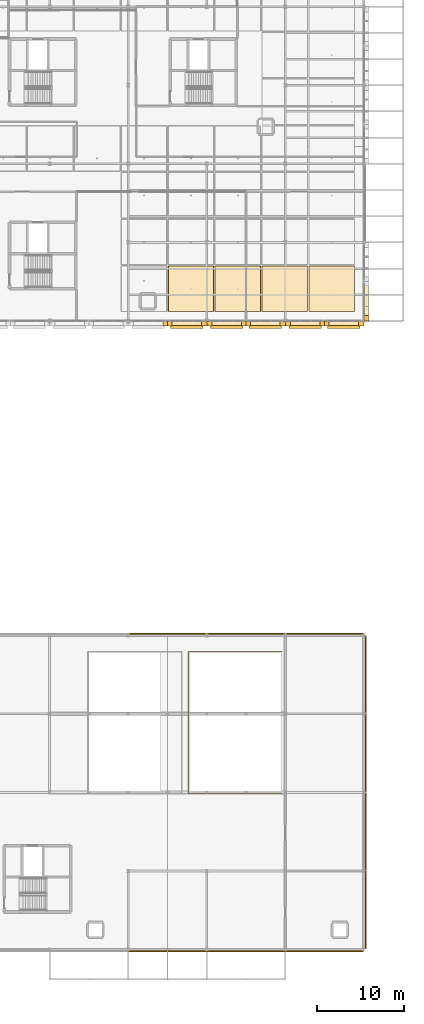
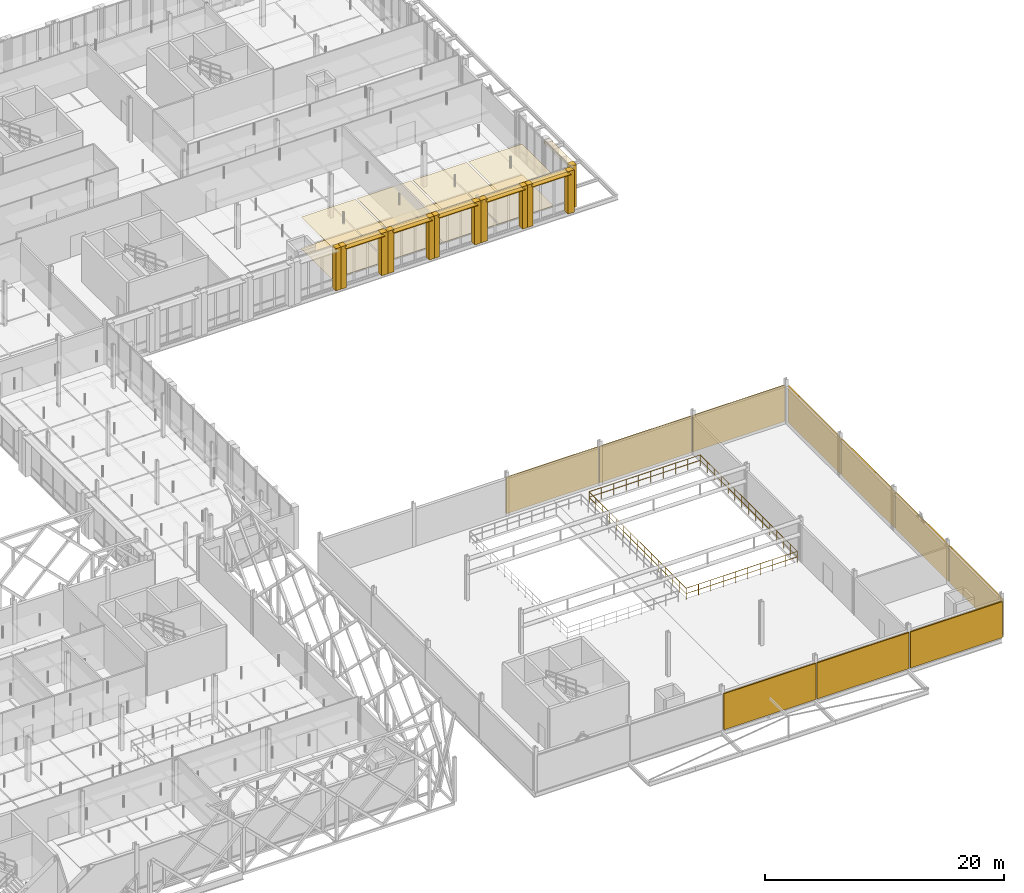
# One storey, part 139 of 140: 36 coverings, 5 shading devices, 1 railing.
"""IFC4 building model written with IfcOpenShell, lengths in metres."""

from ifc_helpers import new_model, si_unit, direction, frame, origin, origin_2d, place, context, subcontext, project, spatial, rectangle, circle, extrude, material, layer, layer_set, type_object, element, save


model = new_model("IFC4")

# Units and contexts
model_context = context("Model", 3, precision=1e-05, world=origin(), true_north=direction((0.0, 1.0)))
body_context = subcontext(model_context, "Body", "Model", "MODEL_VIEW")
ifc_project = project(units=[si_unit("LENGTHUNIT", "METRE"), si_unit("AREAUNIT", "SQUARE_METRE"), si_unit("VOLUMEUNIT", "CUBIC_METRE"), si_unit("PLANEANGLEUNIT", "RADIAN"), si_unit("MASSUNIT", "GRAM", prefix="KILO"), si_unit("THERMODYNAMICTEMPERATUREUNIT", "KELVIN"), si_unit("POWERUNIT", "WATT")], contexts=[model_context])

# Site, building, storey
site_placement = place(None, origin())
site = spatial("IfcSite", under=ifc_project, at=site_placement, CompositionType="ELEMENT")
building_placement = place(site_placement, origin())
building = spatial("IfcBuilding", under=site, at=building_placement, Name="Tallowbark Science Centre", CompositionType="ELEMENT")
storey_placement = place(building_placement, frame((0.0, 0.0, 9.89990234375)))
storey = spatial("IfcBuildingStorey", under=building, at=storey_placement, Name="L02", CompositionType="ELEMENT", Elevation=9.89990234375)

# Coverings
ifc_material_1 = material(Name="Mineral-Fibre Acoustic Ceiling Tile Grid")
ifc_layer_1 = layer(ifc_material_1, 0.01806640625)
ifc_layer_set_1 = layer_set([ifc_layer_1], Name="Mineral-Fibre Acoustic Ceiling Tile Grid")
covering_type_1 = type_object("IfcCoveringType", Name="CLG-ACT-18", PredefinedType="CEILING", material=ifc_layer_set_1)
for number, where, z_axis, x_axis, name in (
    (1, (137.6875, 75.6787109375, 3.191162109375), (0.0, 0.0, 1.0), (1.0, 0.0, 0.0), "Suspended Ceiling L02-922"),
    (2, (143.0625, 75.6787109375, 3.191162109375), (0.0, 0.0, 1.0), (1.0, 0.0, 0.0), "Suspended Ceiling L02-927"),
    (3, (148.4375, 75.6787109375, 3.191162109375), (0.0, 0.0, 1.0), (1.0, 0.0, 0.0), "Suspended Ceiling L02-932"),
    (4, (153.8125, 75.6787109375, 3.191162109375), (0.0, 0.0, 1.0), (1.0, 0.0, 0.0), "Suspended Ceiling L02-939"),
):
    element("IfcCovering", number, at=place(storey_placement, frame(where, z_axis=z_axis, x_axis=x_axis)), inside=storey, type_object=covering_type_1, Name=name, PredefinedType="CEILING", context=body_context, shape_type="SweptSolid", body=[
        extrude(rectangle(XDim=5.195068359375, YDim=5.177001953125, at=origin_2d()), origin(), (0.0, 0.0, 1.0), 0.01806640625),
    ])
ifc_material_2 = material(Name="White Architectural Precast Concrete Grade N40 (40 MPa)", Category="concrete")
ifc_layer_2 = layer(ifc_material_2, 0.1201171875)
ifc_layer_set_2 = layer_set([ifc_layer_2], Name="White Architectural Precast Concrete Grade N40 (40 MPa)")
covering_type_2 = type_object("IfcCoveringType", Name="COV-PRC-CLAD", PredefinedType="CLADDING", material=ifc_layer_set_2)
for number, where, z_axis, x_axis, name in (
    (5, (135.0, -0.1923828125, 0.050048828125), (0.0, 0.0, 1.0), (1.0, 0.0, 0.0), "Architectural Rainscreen THT-S-L02-2"),
    (6, (135.0, 36.1923828125, 0.050048828125), (0.0, 0.0, 1.0), (-1.0, 0.0, 0.0), "Architectural Rainscreen THT-N-L02-2"),
    (7, (144.0, -0.1923828125, 0.050048828125), (0.0, 0.0, 1.0), (1.0, 0.0, 0.0), "Architectural Rainscreen THT-S-L02-3"),
    (8, (144.0, 36.1923828125, 0.050048828125), (0.0, 0.0, 1.0), (-1.0, 0.0, 0.0), "Architectural Rainscreen THT-N-L02-3"),
    (9, (153.0, -0.1923828125, 0.050048828125), (0.0, 0.0, 1.0), (1.0, 0.0, 0.0), "Architectural Rainscreen THT-S-L02-4"),
    (10, (153.0, 36.1923828125, 0.050048828125), (0.0, 0.0, 1.0), (-1.0, 0.0, 0.0), "Architectural Rainscreen THT-N-L02-4"),
    (11, (157.6923828125, 4.5, 0.050048828125), (0.0, 0.0, 1.0), (0.0, 1.0, 0.0), "Architectural Rainscreen THT-E-L02-0"),
    (12, (157.6923828125, 13.5, 0.050048828125), (0.0, 0.0, 1.0), (0.0, 1.0, 0.0), "Architectural Rainscreen THT-E-L02-1"),
    (13, (157.6923828125, 22.5, 0.050048828125), (0.0, 0.0, 1.0), (0.0, 1.0, 0.0), "Architectural Rainscreen THT-E-L02-2"),
    (14, (157.6923828125, 31.5, 0.050048828125), (0.0, 0.0, 1.0), (0.0, 1.0, 0.0), "Architectural Rainscreen THT-E-L02-3"),
):
    element("IfcCovering", number, at=place(storey_placement, frame(where, z_axis=z_axis, x_axis=x_axis)), inside=storey, type_object=covering_type_2, Name=name, PredefinedType="CLADDING", context=body_context, shape_type="SweptSolid", body=[
        extrude(rectangle(XDim=8.8798828125, YDim=0.1201171875, at=origin_2d()), origin(), (0.0, 0.0, 1.0), 3.68115234375),
    ])
for number, where, z_axis, x_axis, name in (
    (15, (134.7451171875, 71.719970703125, 0.0), (0.0, 0.0, 1.0), (1.0, 0.0, 0.0), "Postmodern Deep Precast Pier CW-L02-146-2"),
    (16, (135.2548828125, 71.719970703125, 0.0), (0.0, 0.0, 1.0), (1.0, 0.0, 0.0), "Postmodern Deep Precast Pier CW-L02-147-1"),
):
    element("IfcCovering", number, at=place(storey_placement, frame(where, z_axis=z_axis, x_axis=x_axis)), inside=storey, type_object=covering_type_2, Name=name, PredefinedType="CLADDING", context=body_context, shape_type="SweptSolid", body=[
        extrude(rectangle(XDim=0.510009765625, YDim=0.56005859375, at=origin_2d()), origin(), (0.0, 0.0, 1.0), 4.320068359375),
    ])
for number, where, z_axis, x_axis, name in (
    (17, (139.195068359375, 71.719970703125, 0.0), (0.0, 0.0, 1.0), (1.0, 0.0, 0.0), "Postmodern Deep Precast Pier CW-L02-147-2"),
    (18, (139.804931640625, 71.719970703125, 0.0), (0.0, 0.0, 1.0), (1.0, 0.0, 0.0), "Postmodern Deep Precast Pier CW-L02-150-1"),
):
    element("IfcCovering", number, at=place(storey_placement, frame(where, z_axis=z_axis, x_axis=x_axis)), inside=storey, type_object=covering_type_2, Name=name, PredefinedType="CLADDING", context=body_context, shape_type="SweptSolid", body=[
        extrude(rectangle(XDim=0.610107421875, YDim=0.56005859375, at=origin_2d()), origin(), (0.0, 0.0, 1.0), 4.320068359375),
    ])
for number, where, z_axis, x_axis, name in (
    (19, (143.7451171875, 71.719970703125, 0.0), (0.0, 0.0, 1.0), (1.0, 0.0, 0.0), "Postmodern Deep Precast Pier CW-L02-150-2"),
    (20, (144.2548828125, 71.719970703125, 0.0), (0.0, 0.0, 1.0), (1.0, 0.0, 0.0), "Postmodern Deep Precast Pier CW-L02-151-1"),
):
    element("IfcCovering", number, at=place(storey_placement, frame(where, z_axis=z_axis, x_axis=x_axis)), inside=storey, type_object=covering_type_2, Name=name, PredefinedType="CLADDING", context=body_context, shape_type="SweptSolid", body=[
        extrude(rectangle(XDim=0.510009765625, YDim=0.56005859375, at=origin_2d()), origin(), (0.0, 0.0, 1.0), 4.320068359375),
    ])
for number, where, z_axis, x_axis, name in (
    (21, (148.195068359375, 71.719970703125, 0.0), (0.0, 0.0, 1.0), (1.0, 0.0, 0.0), "Postmodern Deep Precast Pier CW-L02-151-2"),
    (22, (148.804931640625, 71.719970703125, 0.0), (0.0, 0.0, 1.0), (1.0, 0.0, 0.0), "Postmodern Deep Precast Pier CW-L02-154-1"),
):
    element("IfcCovering", number, at=place(storey_placement, frame(where, z_axis=z_axis, x_axis=x_axis)), inside=storey, type_object=covering_type_2, Name=name, PredefinedType="CLADDING", context=body_context, shape_type="SweptSolid", body=[
        extrude(rectangle(XDim=0.610107421875, YDim=0.56005859375, at=origin_2d()), origin(), (0.0, 0.0, 1.0), 4.320068359375),
    ])
for number, where, z_axis, x_axis, name in (
    (23, (152.7451171875, 71.719970703125, 0.0), (0.0, 0.0, 1.0), (1.0, 0.0, 0.0), "Postmodern Deep Precast Pier CW-L02-154-2"),
    (24, (153.2548828125, 71.719970703125, 0.0), (0.0, 0.0, 1.0), (1.0, 0.0, 0.0), "Postmodern Deep Precast Pier CW-L02-155-1"),
):
    element("IfcCovering", number, at=place(storey_placement, frame(where, z_axis=z_axis, x_axis=x_axis)), inside=storey, type_object=covering_type_2, Name=name, PredefinedType="CLADDING", context=body_context, shape_type="SweptSolid", body=[
        extrude(rectangle(XDim=0.510009765625, YDim=0.56005859375, at=origin_2d()), origin(), (0.0, 0.0, 1.0), 4.320068359375),
    ])
for number, where, z_axis, x_axis, name in (
    (25, (157.195068359375, 71.719970703125, 0.0), (0.0, 0.0, 1.0), (1.0, 0.0, 0.0), "Postmodern Deep Precast Pier CW-L02-155-2"),
    (26, (157.780029296875, 72.304931640625, 0.0), (0.0, 0.0, 1.0), (0.0, 1.0, 0.0), "Postmodern Deep Precast Pier CW-L02-158-1"),
):
    element("IfcCovering", number, at=place(storey_placement, frame(where, z_axis=z_axis, x_axis=x_axis)), inside=storey, type_object=covering_type_2, Name=name, PredefinedType="CLADDING", context=body_context, shape_type="SweptSolid", body=[
        extrude(rectangle(XDim=0.610107421875, YDim=0.56005859375, at=origin_2d()), origin(), (0.0, 0.0, 1.0), 4.320068359375),
    ])
ifc_material_3 = material(Name="Vitrified Ochre Terracotta Architectural Rainscreen", Category="masonry")
ifc_layer_3 = layer(ifc_material_3, 0.0380859375)
ifc_layer_set_3 = layer_set([ifc_layer_3], Name="Vitrified Ochre Terracotta Architectural Rainscreen")
covering_type_3 = type_object("IfcCoveringType", Name="COV-TER-CLAD", PredefinedType="CLADDING", material=ifc_layer_set_3)
for number, where, z_axis, x_axis, name in (
    (27, (137.199951171875, 71.739990234375, 3.97021484375), (0.0, 0.0, 1.0), (1.0, 0.0, 0.0), "Postmodern Terracotta Cornice Band CW-L02-147"),
    (28, (141.800048828125, 71.739990234375, 3.97021484375), (0.0, 0.0, 1.0), (1.0, 0.0, 0.0), "Postmodern Terracotta Cornice Band CW-L02-150"),
    (29, (146.199951171875, 71.739990234375, 3.97021484375), (0.0, 0.0, 1.0), (1.0, 0.0, 0.0), "Postmodern Terracotta Cornice Band CW-L02-151"),
    (30, (150.800048828125, 71.739990234375, 3.97021484375), (0.0, 0.0, 1.0), (1.0, 0.0, 0.0), "Postmodern Terracotta Cornice Band CW-L02-154"),
    (31, (155.199951171875, 71.739990234375, 3.97021484375), (0.0, 0.0, 1.0), (1.0, 0.0, 0.0), "Postmodern Terracotta Cornice Band CW-L02-155"),
    (32, (157.760009765625, 74.300048828125, 3.97021484375), (0.0, 0.0, 1.0), (0.0, 1.0, 0.0), "Postmodern Terracotta Cornice Band CW-L02-158"),
):
    element("IfcCovering", number, at=place(storey_placement, frame(where, z_axis=z_axis, x_axis=x_axis)), inside=storey, type_object=covering_type_3, Name=name, PredefinedType="CLADDING", context=body_context, shape_type="SweptSolid", body=[
        extrude(rectangle(XDim=4.300048828125, YDim=0.52001953125, at=origin_2d()), origin(), (0.0, 0.0, 1.0), 0.340087890625),
    ])
ifc_material_4 = material(Name="Engineered Blackbutt Gallery Timber Flooring", Category="wood")
ifc_layer_4 = layer(ifc_material_4, 0.02197265625)
ifc_layer_set_4 = layer_set([ifc_layer_4], Name="Engineered Blackbutt Gallery Timber Flooring")
covering_type_4 = type_object("IfcCoveringType", Name="FLR-TIM-22", PredefinedType="FLOORING", material=ifc_layer_set_4)
for number, where, z_axis, x_axis, name in (
    (33, (137.6875, 75.6787109375, 0.0), (0.0, 0.0, 1.0), (1.0, 0.0, 0.0), "Floor Finish L02-922"),
    (34, (143.0625, 75.6787109375, 0.0), (0.0, 0.0, 1.0), (1.0, 0.0, 0.0), "Floor Finish L02-927"),
    (35, (148.4375, 75.6787109375, 0.0), (0.0, 0.0, 1.0), (1.0, 0.0, 0.0), "Floor Finish L02-932"),
    (36, (153.8125, 75.6787109375, 0.0), (0.0, 0.0, 1.0), (1.0, 0.0, 0.0), "Floor Finish L02-939"),
):
    element("IfcCovering", number, at=place(storey_placement, frame(where, z_axis=z_axis, x_axis=x_axis)), inside=storey, type_object=covering_type_4, Name=name, PredefinedType="FLOORING", context=body_context, shape_type="SweptSolid", body=[
        extrude(rectangle(XDim=5.2548828125, YDim=5.237060546875, at=origin_2d()), origin(), (0.0, 0.0, 1.0), 0.02197265625),
    ])

# Railing
ifc_material_5 = material(Name="Galvanised Painted Steel and Laminated Glass Balustrade", Category="steel")
ifc_layer_5 = layer(ifc_material_5, 0.070068359375)
ifc_layer_set_5 = layer_set([ifc_layer_5], Name="Galvanised Painted Steel and Laminated Glass Balustrade")
railing_type = type_object("IfcRailingType", Name="RLG-BAL-1150", PredefinedType="BALUSTRADE", material=ifc_layer_set_5)
railing_placement = place(storey_placement, frame((137.3798828125, 17.8798828125, 0.0)))
element("IfcRailing", 37, at=railing_placement, inside=storey, type_object=railing_type, Name="Guardrail GD-THT-VOID-L02E", PredefinedType="BALUSTRADE", context=body_context, shape_type="SweptSolid", body=[
    extrude(circle(Radius=0.02392578125, at=origin_2d()), frame((0.0, 0.0, 1.1259765625), z_axis=(1.0, 0.0, 0.0), x_axis=(0.0, 1.0, 0.0)), (0.0, 0.0, 1.0), 10.740234375),
    extrude(circle(Radius=0.02392578125, at=origin_2d()), frame((0.0, 0.0, 0.574951171875), z_axis=(1.0, 0.0, 0.0), x_axis=(0.0, 1.0, 0.0)), (0.0, 0.0, 1.0), 10.740234375),
    extrude(circle(Radius=0.02392578125, at=origin_2d()), frame((10.740234375, 0.0, 1.1259765625), z_axis=(0.0, 1.0, 0.0), x_axis=(-1.0, 0.0, 0.0)), (0.0, 0.0, 1.0), 16.240234375),
    extrude(circle(Radius=0.02392578125, at=origin_2d()), frame((10.740234375, 0.0, 0.574951171875), z_axis=(0.0, 1.0, 0.0), x_axis=(-1.0, 0.0, 0.0)), (0.0, 0.0, 1.0), 16.240234375),
    extrude(circle(Radius=0.02392578125, at=origin_2d()), frame((10.740234375, 16.240234375, 1.1259765625), z_axis=(-1.0, 0.0, 0.0), x_axis=(0.0, -1.0, 0.0)), (0.0, 0.0, 1.0), 10.740234375),
    extrude(circle(Radius=0.02392578125, at=origin_2d()), frame((10.740234375, 16.240234375, 0.574951171875), z_axis=(-1.0, 0.0, 0.0), x_axis=(0.0, -1.0, 0.0)), (0.0, 0.0, 1.0), 10.740234375),
    extrude(circle(Radius=0.02392578125, at=origin_2d()), frame((0.0, 16.240234375, 1.1259765625), z_axis=(0.0, -1.0, 0.0), x_axis=(1.0, 0.0, 0.0)), (0.0, 0.0, 1.0), 16.240234375),
    extrude(circle(Radius=0.02392578125, at=origin_2d()), frame((0.0, 16.240234375, 0.574951171875), z_axis=(0.0, -1.0, 0.0), x_axis=(1.0, 0.0, 0.0)), (0.0, 0.0, 1.0), 16.240234375),
    extrude(circle(Radius=0.02099609375, at=origin_2d()), origin(), (0.0, 0.0, 1.0), 1.101806640625),
    extrude(circle(Radius=0.02099609375, at=origin_2d()), frame((1.193359375, 0.0, 0.0)), (0.0, 0.0, 1.0), 1.101806640625),
    extrude(circle(Radius=0.02099609375, at=origin_2d()), frame((2.38671875, 0.0, 0.0)), (0.0, 0.0, 1.0), 1.101806640625),
    extrude(circle(Radius=0.02099609375, at=origin_2d()), frame((3.580078125, 0.0, 0.0)), (0.0, 0.0, 1.0), 1.101806640625),
    extrude(circle(Radius=0.02099609375, at=origin_2d()), frame((4.7734375, 0.0, 0.0)), (0.0, 0.0, 1.0), 1.101806640625),
    extrude(circle(Radius=0.02099609375, at=origin_2d()), frame((5.966796875, 0.0, 0.0)), (0.0, 0.0, 1.0), 1.101806640625),
    extrude(circle(Radius=0.02099609375, at=origin_2d()), frame((7.16015625, 0.0, 0.0)), (0.0, 0.0, 1.0), 1.101806640625),
    extrude(circle(Radius=0.02099609375, at=origin_2d()), frame((8.353515625, 0.0, 0.0)), (0.0, 0.0, 1.0), 1.101806640625),
    extrude(circle(Radius=0.02099609375, at=origin_2d()), frame((9.546875, 0.0, 0.0)), (0.0, 0.0, 1.0), 1.101806640625),
    extrude(circle(Radius=0.02099609375, at=origin_2d()), frame((10.740234375, 0.0, 0.0)), (0.0, 0.0, 1.0), 1.101806640625),
    extrude(circle(Radius=0.02099609375, at=origin_2d()), frame((10.740234375, 1.159912109375, 0.0)), (0.0, 0.0, 1.0), 1.101806640625),
    extrude(circle(Radius=0.02099609375, at=origin_2d()), frame((10.740234375, 2.320068359375, 0.0)), (0.0, 0.0, 1.0), 1.101806640625),
    extrude(circle(Radius=0.02099609375, at=origin_2d()), frame((10.740234375, 3.47998046875, 0.0)), (0.0, 0.0, 1.0), 1.101806640625),
    extrude(circle(Radius=0.02099609375, at=origin_2d()), frame((10.740234375, 4.64013671875, 0.0)), (0.0, 0.0, 1.0), 1.101806640625),
    extrude(circle(Radius=0.02099609375, at=origin_2d()), frame((10.740234375, 5.800048828125, 0.0)), (0.0, 0.0, 1.0), 1.101806640625),
    extrude(circle(Radius=0.02099609375, at=origin_2d()), frame((10.740234375, 6.960205078125, 0.0)), (0.0, 0.0, 1.0), 1.101806640625),
    extrude(circle(Radius=0.02099609375, at=origin_2d()), frame((10.740234375, 8.1201171875, 0.0)), (0.0, 0.0, 1.0), 1.101806640625),
    extrude(circle(Radius=0.02099609375, at=origin_2d()), frame((10.740234375, 9.280029296875, 0.0)), (0.0, 0.0, 1.0), 1.101806640625),
    extrude(circle(Radius=0.02099609375, at=origin_2d()), frame((10.740234375, 10.440185546875, 0.0)), (0.0, 0.0, 1.0), 1.101806640625),
    extrude(circle(Radius=0.02099609375, at=origin_2d()), frame((10.740234375, 11.60009765625, 0.0)), (0.0, 0.0, 1.0), 1.101806640625),
    extrude(circle(Radius=0.02099609375, at=origin_2d()), frame((10.740234375, 12.76025390625, 0.0)), (0.0, 0.0, 1.0), 1.101806640625),
    extrude(circle(Radius=0.02099609375, at=origin_2d()), frame((10.740234375, 13.920166015625, 0.0)), (0.0, 0.0, 1.0), 1.101806640625),
    extrude(circle(Radius=0.02099609375, at=origin_2d()), frame((10.740234375, 15.080322265625, 0.0)), (0.0, 0.0, 1.0), 1.101806640625),
    extrude(circle(Radius=0.02099609375, at=origin_2d()), frame((10.740234375, 16.240234375, 0.0)), (0.0, 0.0, 1.0), 1.101806640625),
    extrude(circle(Radius=0.02099609375, at=origin_2d()), frame((9.546875, 16.240234375, 0.0)), (0.0, 0.0, 1.0), 1.101806640625),
    extrude(circle(Radius=0.02099609375, at=origin_2d()), frame((8.353515625, 16.240234375, 0.0)), (0.0, 0.0, 1.0), 1.101806640625),
    extrude(circle(Radius=0.02099609375, at=origin_2d()), frame((7.16015625, 16.240234375, 0.0)), (0.0, 0.0, 1.0), 1.101806640625),
    extrude(circle(Radius=0.02099609375, at=origin_2d()), frame((5.966796875, 16.240234375, 0.0)), (0.0, 0.0, 1.0), 1.101806640625),
    extrude(circle(Radius=0.02099609375, at=origin_2d()), frame((4.7734375, 16.240234375, 0.0)), (0.0, 0.0, 1.0), 1.101806640625),
    extrude(circle(Radius=0.02099609375, at=origin_2d()), frame((3.580078125, 16.240234375, 0.0)), (0.0, 0.0, 1.0), 1.101806640625),
    extrude(circle(Radius=0.02099609375, at=origin_2d()), frame((2.38671875, 16.240234375, 0.0)), (0.0, 0.0, 1.0), 1.101806640625),
    extrude(circle(Radius=0.02099609375, at=origin_2d()), frame((1.193359375, 16.240234375, 0.0)), (0.0, 0.0, 1.0), 1.101806640625),
    extrude(circle(Radius=0.02099609375, at=origin_2d()), frame((0.0, 16.240234375, 0.0)), (0.0, 0.0, 1.0), 1.101806640625),
    extrude(circle(Radius=0.02099609375, at=origin_2d()), frame((0.0, 15.080322265625, 0.0)), (0.0, 0.0, 1.0), 1.101806640625),
    extrude(circle(Radius=0.02099609375, at=origin_2d()), frame((0.0, 13.920166015625, 0.0)), (0.0, 0.0, 1.0), 1.101806640625),
    extrude(circle(Radius=0.02099609375, at=origin_2d()), frame((0.0, 12.76025390625, 0.0)), (0.0, 0.0, 1.0), 1.101806640625),
    extrude(circle(Radius=0.02099609375, at=origin_2d()), frame((0.0, 11.60009765625, 0.0)), (0.0, 0.0, 1.0), 1.101806640625),
    extrude(circle(Radius=0.02099609375, at=origin_2d()), frame((0.0, 10.440185546875, 0.0)), (0.0, 0.0, 1.0), 1.101806640625),
    extrude(circle(Radius=0.02099609375, at=origin_2d()), frame((0.0, 9.280029296875, 0.0)), (0.0, 0.0, 1.0), 1.101806640625),
    extrude(circle(Radius=0.02099609375, at=origin_2d()), frame((0.0, 8.1201171875, 0.0)), (0.0, 0.0, 1.0), 1.101806640625),
    extrude(circle(Radius=0.02099609375, at=origin_2d()), frame((0.0, 6.960205078125, 0.0)), (0.0, 0.0, 1.0), 1.101806640625),
    extrude(circle(Radius=0.02099609375, at=origin_2d()), frame((0.0, 5.800048828125, 0.0)), (0.0, 0.0, 1.0), 1.101806640625),
    extrude(circle(Radius=0.02099609375, at=origin_2d()), frame((0.0, 4.64013671875, 0.0)), (0.0, 0.0, 1.0), 1.101806640625),
    extrude(circle(Radius=0.02099609375, at=origin_2d()), frame((0.0, 3.47998046875, 0.0)), (0.0, 0.0, 1.0), 1.101806640625),
    extrude(circle(Radius=0.02099609375, at=origin_2d()), frame((0.0, 2.320068359375, 0.0)), (0.0, 0.0, 1.0), 1.101806640625),
    extrude(circle(Radius=0.02099609375, at=origin_2d()), frame((0.0, 1.159912109375, 0.0)), (0.0, 0.0, 1.0), 1.101806640625),
])

# Shading devices
ifc_material_6 = material(Name="Terracotta-Anodised Extruded Aluminium Sunshade Blade", Category="masonry")
ifc_layer_6 = layer(ifc_material_6, 0.054931640625)
ifc_layer_set_6 = layer_set([ifc_layer_6], Name="Terracotta-Anodised Extruded Aluminium Sunshade Blade")
shading_device_type = type_object("IfcShadingDeviceType", Name="SHD-LVR-300", PredefinedType="AWNING", material=ifc_layer_set_6)
for number, where, z_axis, x_axis, name in (
    (38, (137.199951171875, 71.580078125, 4.1328125), (0.0, 0.0, 1.0), (1.0, 0.0, 0.0), "Horizontal Solar Louvre Hood CW-L02-147"),
    (39, (141.800048828125, 71.580078125, 4.1328125), (0.0, 0.0, 1.0), (1.0, 0.0, 0.0), "Horizontal Solar Louvre Hood CW-L02-150"),
    (40, (146.199951171875, 71.580078125, 4.1328125), (0.0, 0.0, 1.0), (1.0, 0.0, 0.0), "Horizontal Solar Louvre Hood CW-L02-151"),
    (41, (150.800048828125, 71.580078125, 4.1328125), (0.0, 0.0, 1.0), (1.0, 0.0, 0.0), "Horizontal Solar Louvre Hood CW-L02-154"),
    (42, (155.199951171875, 71.580078125, 4.1328125), (0.0, 0.0, 1.0), (1.0, 0.0, 0.0), "Horizontal Solar Louvre Hood CW-L02-155"),
):
    element("IfcShadingDevice", number, at=place(storey_placement, frame(where, z_axis=z_axis, x_axis=x_axis)), inside=storey, type_object=shading_device_type, Name=name, PredefinedType="AWNING", context=body_context, shape_type="SweptSolid", body=[
        extrude(rectangle(XDim=3.699951171875, YDim=0.840087890625, at=origin_2d()), origin(), (0.0, 0.0, 1.0), 0.054931640625),
    ])

save(model, "model.ifc")
